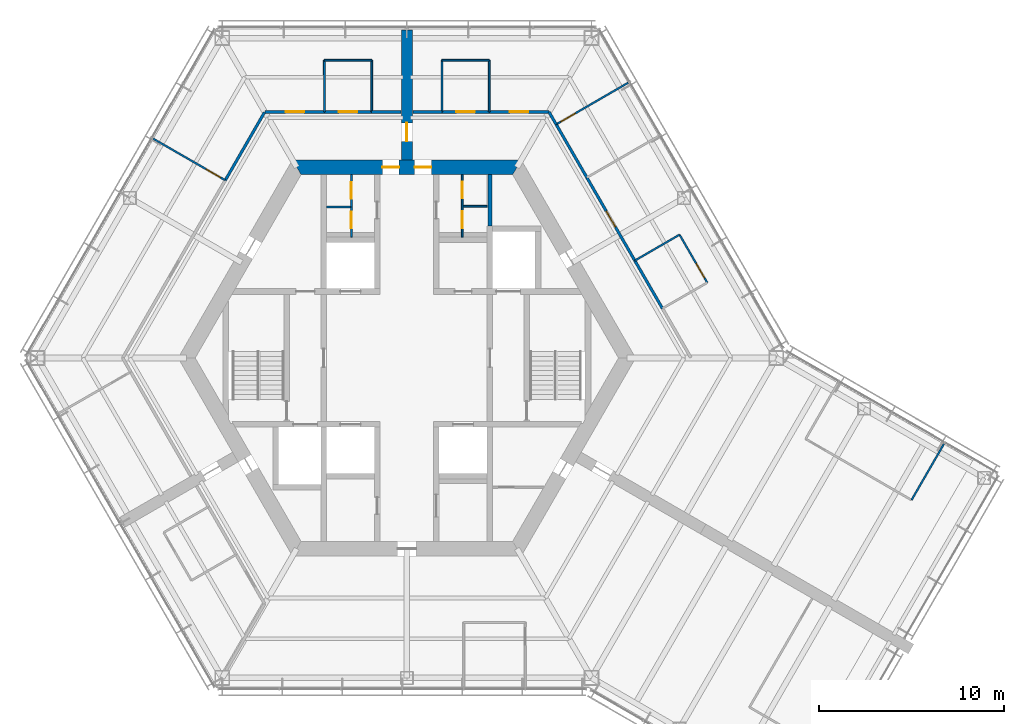
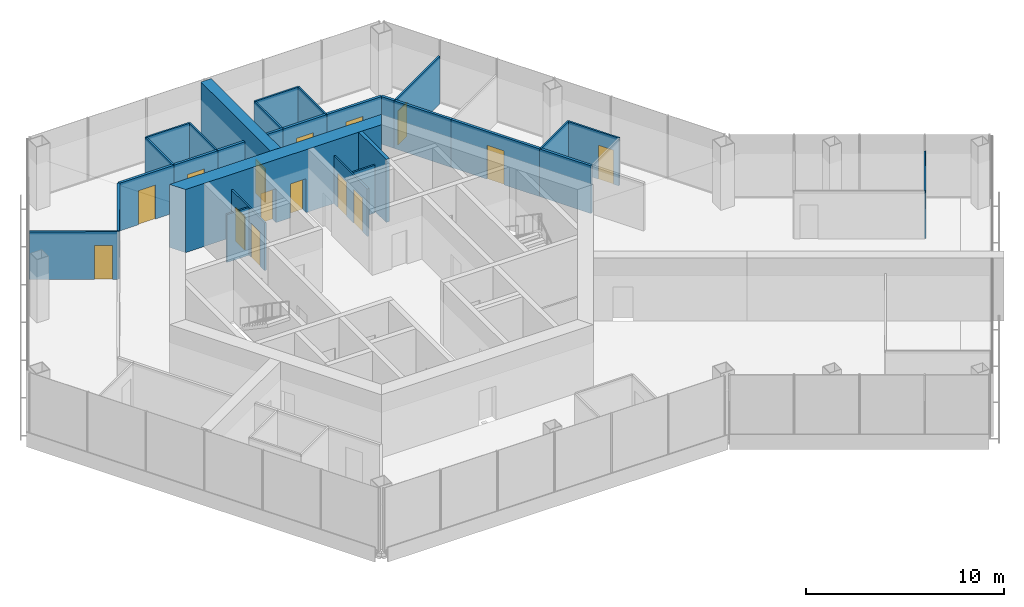
# One storey, part 12 of 15: 29 walls, 15 doors, 15 openings.
"""IFC4 building model written with IfcOpenShell, lengths in metres."""

import ifcopenshell
import ifcopenshell.guid

model = None  # the IFC model being written
_history = None  # IfcOwnerHistory: only IFC2X3 demands one
_inside = {}  # id of a spatial element -> (the spatial element, [elements in it])
_under = {}  # id of a project, library or spatial element -> (it, [spatial elements below it])
_declared = {}  # id of a project -> (the project, [libraries it declares])
_typed = {}  # id of a type object -> (the type object, [elements of that type])
_made_of = {}  # id of a material, layer set ... -> (it, [elements and type objects made of it])


def new_model(schema):
    """Start an empty IFC model of exactly this schema.

    Asked for "IFC4X3", IfcOpenShell would pick the latest addendum, in which some entities
    have other attributes; the version numbers below select the first issue.
    IFC2X3 requires an IfcOwnerHistory on every rooted entity: one is made here for all.
    """
    global model, _history
    if schema == "IFC4X3":
        model = ifcopenshell.file(schema_version=(4, 3, 0, 0))
    else:
        model = ifcopenshell.file(schema=schema)
    _inside.clear()
    _under.clear()
    _declared.clear()
    _typed.clear()
    _made_of.clear()
    _history = None
    if model.schema == "IFC2X3":
        org = make("IfcOrganization", Name="unknown")
        user = make(
            "IfcPersonAndOrganization",
            ThePerson=make("IfcPerson", FamilyName="unknown"),
            TheOrganization=org,
        )
        app = make(
            "IfcApplication",
            ApplicationDeveloper=org,
            Version="unknown",
            ApplicationFullName="unknown",
            ApplicationIdentifier="unknown",
        )
        _history = make(
            "IfcOwnerHistory",
            OwningUser=user,
            OwningApplication=app,
            ChangeAction="ADDED",
            CreationDate=0,
        )
    return model


def make(cls, **values):
    """One entity of the class cls with the attributes given. An attribute that is None is left unset."""
    return model.create_entity(
        cls, **{name: value for name, value in values.items() if value is not None}
    )


def rooted(cls, **values):
    """An entity with a GlobalId (a new one), such as an element, a storey or a relation."""
    return make(cls, GlobalId=ifcopenshell.guid.new(), OwnerHistory=_history, **values)


def si_unit(unit_type, name, prefix=None):
    """IfcSIUnit, for example si_unit("LENGTHUNIT", "METRE", prefix="MILLI")."""
    return make("IfcSIUnit", UnitType=unit_type, Prefix=prefix, Name=name)


def assignment(units):
    """IfcUnitAssignment: the units of a project."""
    return None if units is None else make("IfcUnitAssignment", Units=units)


def point(xyz):
    """IfcCartesianPoint."""
    return None if xyz is None else make("IfcCartesianPoint", Coordinates=xyz)


def direction(xyz):
    """IfcDirection."""
    return None if xyz is None else make("IfcDirection", DirectionRatios=xyz)


def frame(location, z_axis=None, x_axis=None):
    """IfcAxis2Placement3D, a coordinate frame: its origin and axes. An axis left out is left unset."""
    return make(
        "IfcAxis2Placement3D",
        Location=point(location),
        Axis=direction(z_axis),
        RefDirection=direction(x_axis),
    )


def frame_2d(location, x_axis=None):
    """IfcAxis2Placement2D, a coordinate frame in the plane: its origin and x axis."""
    return make(
        "IfcAxis2Placement2D", Location=point(location), RefDirection=direction(x_axis)
    )


def origin():
    """The frame at (0, 0, 0) with its axes left unset."""
    return frame((0.0, 0.0, 0.0))


def place(relative_to, where):
    """IfcLocalPlacement: puts the frame where relative to a parent placement (None: the world)."""
    return make(
        "IfcLocalPlacement", PlacementRelTo=relative_to, RelativePlacement=where
    )


def context(
    kind, dimensions, precision=None, world=None, true_north=None, identifier=None
):
    """IfcGeometricRepresentationContext, for example the 3D "Model" context."""
    return make(
        "IfcGeometricRepresentationContext",
        ContextIdentifier=identifier,
        ContextType=kind,
        CoordinateSpaceDimension=dimensions,
        Precision=precision,
        WorldCoordinateSystem=world,
        TrueNorth=true_north,
    )


def subcontext(parent, identifier, kind, view, scale=None):
    """IfcGeometricRepresentationSubContext, for example "Body" below "Model"."""
    return make(
        "IfcGeometricRepresentationSubContext",
        ContextIdentifier=identifier,
        ContextType=kind,
        ParentContext=parent,
        TargetScale=scale,
        TargetView=view,
    )


def project(units=None, contexts=None):
    """IfcProject with its units and contexts."""
    return rooted(
        "IfcProject",
        Name="project",
        RepresentationContexts=contexts,
        UnitsInContext=assignment(units),
    )


def spatial(cls, under=None, at=None, **own):
    """A site, building, storey or space (cls), placed at a placement, below another one or the project."""
    s = rooted(cls, ObjectPlacement=at, **own)
    if under is not None:
        _under.setdefault(under.id(), (under, []))[1].append(s)
    return s


def polyline(points):
    """IfcPolyline through the points."""
    return make("IfcPolyline", Points=[point(p) for p in points])


def profile(cls, at=None, kind="AREA", **sizes):
    """A parametric profile (cls). Its sizes go by their IFC names, for example OverallWidth=200.0."""
    return make(cls, ProfileType=kind, Position=at, **sizes)


def rectangle(**sizes):
    """IfcRectangleProfileDef."""
    return profile("IfcRectangleProfileDef", **sizes)


def outline(outer, holes=None, kind="AREA"):
    """IfcArbitraryClosedProfileDef: a profile drawn as a closed curve; with holes, ...WithVoids."""
    if holes is None:
        return make("IfcArbitraryClosedProfileDef", ProfileType=kind, OuterCurve=outer)
    return make(
        "IfcArbitraryProfileDefWithVoids",
        ProfileType=kind,
        OuterCurve=outer,
        InnerCurves=holes,
    )


def extrude(swept, where, along, depth):
    """IfcExtrudedAreaSolid: the profile swept, set in the frame where, extruded along a direction by depth."""
    return make(
        "IfcExtrudedAreaSolid",
        SweptArea=swept,
        Position=where,
        ExtrudedDirection=direction(along),
        Depth=depth,
    )


def shape(context_of_items, identifier, shape_type, items):
    """IfcShapeRepresentation: the items that make up one representation, for example the "Body"."""
    return make(
        "IfcShapeRepresentation",
        ContextOfItems=context_of_items,
        RepresentationIdentifier=identifier,
        RepresentationType=shape_type,
        Items=items,
    )


def material(Name=None, Category=None):
    """IfcMaterial."""
    return make("IfcMaterial", Name=Name, Category=Category)


def layer(
    of_material, thickness, ventilated=None, Name=None, Category=None, Priority=None
):
    """IfcMaterialLayer: one layer of a wall or slab, of a material (None: an air gap)."""
    return make(
        "IfcMaterialLayer",
        Material=of_material,
        LayerThickness=thickness,
        IsVentilated=ventilated,
        Name=Name,
        Category=Category,
        Priority=Priority,
    )


def layer_set(layers, Name=None):
    """IfcMaterialLayerSet."""
    return make("IfcMaterialLayerSet", MaterialLayers=layers, LayerSetName=Name)


def made_of(thing, what):
    """Note that an element or type object is made of a material, layer set ...; save() writes the relation."""
    if what is not None:
        _made_of.setdefault(what.id(), (what, []))[1].append(thing)
    return thing


def type_object(cls, material=None, **own):
    """A type object (cls), such as IfcWallType, which elements share."""
    return made_of(rooted(cls, **own), material)


def element(
    cls,
    number,
    at=None,
    inside=None,
    cuts=None,
    type_object=None,
    material=None,
    context=None,
    identifier="Body",
    shape_type=None,
    held_by="IfcProductDefinitionShape",
    body=None,
    shapes=None,
    **own,
):
    """One element of the class cls, such as IfcWall. Its Tag is "e" and its number.

    at: its placement. inside: the storey or other place that contains it. cuts: it is an
    opening in that element (IfcRelVoidsElement). A single representation is given by context,
    identifier, shape_type and body (its items); several are given by shapes. held_by: the class
    of the entity that holds the representations. save() writes the other relations.
    """
    e = rooted(cls, Tag="e%d" % number, ObjectPlacement=at, **own)
    if body is not None:
        shapes = [shape(context, identifier, shape_type, body)]
    if shapes is not None:
        e.Representation = make(held_by, Representations=shapes)
    if inside is not None:
        _inside.setdefault(inside.id(), (inside, []))[1].append(e)
    if cuts is not None:
        rooted(
            "IfcRelVoidsElement", RelatingBuildingElement=cuts, RelatedOpeningElement=e
        )
    if type_object is not None:
        _typed.setdefault(type_object.id(), (type_object, []))[1].append(e)
    return made_of(e, material)


def fill(opening, filler):
    """IfcRelFillsElement: the door or window that sits in an opening."""
    return rooted(
        "IfcRelFillsElement",
        RelatingOpeningElement=opening,
        RelatedBuildingElement=filler,
    )


def aggregate(whole, parts):
    """IfcRelAggregates: a whole, such as a stair, and the parts it consists of."""
    return rooted("IfcRelAggregates", RelatingObject=whole, RelatedObjects=parts)


def save(model, path):
    """Write the relations noted so far, then the file.

    IfcRelAggregates (storeys below a building ...), IfcRelContainedInSpatialStructure (elements
    in a storey), IfcRelDefinesByType, IfcRelAssociatesMaterial and IfcRelDeclares: one each for
    every whole, place, type object, material and project.
    """
    for whole, parts in _under.values():
        aggregate(whole, parts)
    for where, things in _inside.values():
        rooted(
            "IfcRelContainedInSpatialStructure",
            RelatedElements=things,
            RelatingStructure=where,
        )
    for kind, things in _typed.values():
        rooted("IfcRelDefinesByType", RelatedObjects=things, RelatingType=kind)
    for what, things in _made_of.values():
        rooted("IfcRelAssociatesMaterial", RelatedObjects=things, RelatingMaterial=what)
    for by, libraries in _declared.values():
        rooted("IfcRelDeclares", RelatingContext=by, RelatedDefinitions=libraries)
    model.write(path)


model = new_model("IFC4")

# Units and contexts
model_context = context("Model", 3, precision=1e-05, world=origin(), true_north=direction((0.0, 1.0)))
body_context = subcontext(model_context, "Body", "Model", "MODEL_VIEW")
ifc_project = project(units=[si_unit("LENGTHUNIT", "METRE"), si_unit("AREAUNIT", "SQUARE_METRE"), si_unit("VOLUMEUNIT", "CUBIC_METRE"), si_unit("PLANEANGLEUNIT", "RADIAN"), si_unit("MASSUNIT", "GRAM", prefix="KILO")], contexts=[model_context])

# Site, building, storey
site_placement = place(None, origin())
site = spatial("IfcSite", under=ifc_project, at=site_placement, CompositionType="ELEMENT")
building_placement = place(site_placement, origin())
building = spatial("IfcBuilding", under=site, at=building_placement, Name="Kasaneha Research Tower", CompositionType="ELEMENT")
storey_placement = place(building_placement, frame((0.0, 0.0, 244.0)))
storey = spatial("IfcBuildingStorey", under=building, at=storey_placement, Name="L61", CompositionType="ELEMENT", Elevation=244.0)

# Wall, openings, doors
ifc_material_1 = material(Name="Concrete Fc60", Category="concrete")
ifc_layer_1 = layer(ifc_material_1, 0.800048828125)
ifc_layer_set_1 = layer_set([ifc_layer_1], Name="Core wall 800 Fc60")
wall_type_1 = type_object("IfcWallType", Name="Core wall 800 Fc60", PredefinedType="SHEAR", material=ifc_layer_set_1)
wall_1_placement = place(storey_placement, frame((5.961181640625, 10.324951171875, 0.0), z_axis=(0.0, 0.0, 1.0), x_axis=(-1.0, 0.0, 0.0)))
wall_1 = element("IfcWall", 1, at=wall_1_placement, inside=storey, type_object=wall_type_1, Name="Core wall 090 L61", PredefinedType="SHEAR", context=body_context, shape_type="SweptSolid", body=[
    extrude(outline(polyline([(-0.23095703125, -0.39990234375), (4.63623046875, -0.39990234375), (5.5361328125, -0.39990234375), (6.38623046875, -0.39990234375), (7.2861328125, -0.39990234375), (12.1533203125, -0.39990234375), (11.69140625, 0.39990234375), (7.2861328125, 0.39990234375), (6.38623046875, 0.39990234375), (5.5361328125, 0.39990234375), (4.63623046875, 0.39990234375), (0.23095703125, 0.39990234375), (-0.23095703125, -0.39990234375)])), origin(), (0.0, 0.0, 1.0), 3.89990234375),
])
opening_1_placement = place(wall_1_placement, frame((6.38623046875, 0.0, 0.0)))
opening_1 = element("IfcOpeningElement", 2, at=opening_1_placement, cuts=wall_1, Name="Opening L61-D01", PredefinedType="OPENING", context=body_context, shape_type="SweptSolid", body=[
    extrude(rectangle(XDim=0.89990234375, YDim=2.10009765625, at=frame_2d((0.449951171875, 1.050048828125))), frame((0.0, 0.41015625, 0.0), z_axis=(0.0, -1.0, 0.0), x_axis=(1.0, 0.0, 0.0)), (0.0, 0.0, 1.0), 0.820068359375),
])
opening_2_placement = place(wall_1_placement, frame((4.63623046875, 0.0, 0.0)))
opening_2 = element("IfcOpeningElement", 3, at=opening_2_placement, cuts=wall_1, Name="Opening L61-D02", PredefinedType="OPENING", context=body_context, shape_type="SweptSolid", body=[
    extrude(rectangle(XDim=0.89990234375, YDim=2.10009765625, at=frame_2d((0.449951171875, 1.050048828125))), frame((0.0, 0.41015625, 0.0), z_axis=(0.0, -1.0, 0.0), x_axis=(1.0, 0.0, 0.0)), (0.0, 0.0, 1.0), 0.820068359375),
])
ifc_material_2 = material(Name="Steel", Category="steel")
door_type_1 = type_object("IfcDoorType", Name="Toilet door FD20 900x2100", OperationType="NOTDEFINED", PredefinedType="DOOR", material=ifc_material_2)
door_1_placement = place(opening_1_placement, origin())
door_1 = element("IfcDoor", 4, at=door_1_placement, inside=storey, type_object=door_type_1, Name="Core door north 1 L61-D01", OperationType="SINGLE_SWING_RIGHT", OverallHeight=2.10009765625, OverallWidth=0.89990234375, PredefinedType="DOOR", context=body_context, shape_type="SweptSolid", body=[
    extrude(rectangle(XDim=0.89990234375, YDim=2.10009765625, at=frame_2d((0.449951171875, 1.050048828125))), frame((0.0, 0.02490234375, 0.0), z_axis=(0.0, -1.0, 0.0), x_axis=(1.0, 0.0, 0.0)), (0.0, 0.0, 1.0), 0.050048828125),
])
fill(opening_1, door_1)
door_2_placement = place(opening_2_placement, origin())
door_2 = element("IfcDoor", 5, at=door_2_placement, inside=storey, type_object=door_type_1, Name="Core door north 2 L61-D02", OperationType="SINGLE_SWING_LEFT", OverallHeight=2.10009765625, OverallWidth=0.89990234375, PredefinedType="DOOR", context=body_context, shape_type="SweptSolid", body=[
    extrude(rectangle(XDim=0.89990234375, YDim=2.10009765625, at=frame_2d((0.449951171875, 1.050048828125))), frame((0.0, 0.02490234375, 0.0), z_axis=(0.0, -1.0, 0.0), x_axis=(1.0, 0.0, 0.0)), (0.0, 0.0, 1.0), 0.050048828125),
])
fill(opening_2, door_2)

ifc_material_3 = material(Name="Gypsum board on steel studs, one layer each side", Category="steel")
ifc_layer_2 = layer(ifc_material_3, 0.10009765625)
ifc_layer_set_2 = layer_set([ifc_layer_2], Name="Office partition 100")
wall_type_2 = type_object("IfcWallType", Name="Office partition 100", PredefinedType="PARTITIONING", material=ifc_layer_set_2)
wall_2_placement = place(storey_placement, frame((-3.0, 6.550048828125, 0.0), z_axis=(0.0, 0.0, 1.0), x_axis=(0.0, 1.0, 0.0)))
wall_2 = element("IfcWall", 6, at=wall_2_placement, inside=storey, type_object=wall_type_2, Name="Office partition TBM1 L61", PredefinedType="PARTITIONING", context=body_context, shape_type="SweptSolid", body=[
    extrude(rectangle(XDim=3.375, YDim=0.10009765625, at=frame_2d((1.6875, 0.0))), origin(), (0.0, 0.0, 1.0), 2.949951171875),
])
opening_3_placement = place(wall_2_placement, frame((2.074951171875, 0.0, 0.0)))
opening_3 = element("IfcOpeningElement", 7, at=opening_3_placement, cuts=wall_2, Name="Opening L61-D21", PredefinedType="OPENING", context=body_context, shape_type="SweptSolid", body=[
    extrude(rectangle(XDim=0.89990234375, YDim=2.10009765625, at=frame_2d((0.449951171875, 1.050048828125))), frame((0.0, 0.06005859375, 0.0), z_axis=(0.0, -1.0, 0.0), x_axis=(1.0, 0.0, 0.0)), (0.0, 0.0, 1.0), 0.1201171875),
])
opening_4_placement = place(wall_2_placement, frame((0.46240234375, 0.0, 0.0)))
opening_4 = element("IfcOpeningElement", 8, at=opening_4_placement, cuts=wall_2, Name="Opening L61-D22", PredefinedType="OPENING", context=body_context, shape_type="SweptSolid", body=[
    extrude(rectangle(XDim=0.89990234375, YDim=2.10009765625, at=frame_2d((0.449951171875, 1.050048828125))), frame((0.0, 0.06005859375, 0.0), z_axis=(0.0, -1.0, 0.0), x_axis=(1.0, 0.0, 0.0)), (0.0, 0.0, 1.0), 0.1201171875),
])
ifc_material_4 = material(Name="Steel", Category="steel")
door_type_2 = type_object("IfcDoorType", Name="Toilet lobby door FD30 900x2100", OperationType="NOTDEFINED", PredefinedType="DOOR", material=ifc_material_4)
door_3_placement = place(opening_3_placement, origin())
door_3 = element("IfcDoor", 9, at=door_3_placement, inside=storey, type_object=door_type_2, Name="Men's WC door L61-D21", OperationType="SINGLE_SWING_RIGHT", OverallHeight=2.10009765625, OverallWidth=0.89990234375, PredefinedType="DOOR", context=body_context, shape_type="SweptSolid", body=[
    extrude(rectangle(XDim=0.89990234375, YDim=2.10009765625, at=frame_2d((0.449951171875, 1.050048828125))), frame((0.0, 0.02490234375, 0.0), z_axis=(0.0, -1.0, 0.0), x_axis=(1.0, 0.0, 0.0)), (0.0, 0.0, 1.0), 0.050048828125),
])
fill(opening_3, door_3)
door_4_placement = place(opening_4_placement, origin())
door_4 = element("IfcDoor", 10, at=door_4_placement, inside=storey, type_object=door_type_2, Name="Cleaner's store door L61-D22", OperationType="SINGLE_SWING_RIGHT", OverallHeight=2.10009765625, OverallWidth=0.89990234375, PredefinedType="DOOR", context=body_context, shape_type="SweptSolid", body=[
    extrude(rectangle(XDim=0.89990234375, YDim=2.10009765625, at=frame_2d((0.449951171875, 1.050048828125))), frame((0.0, 0.02490234375, 0.0), z_axis=(0.0, -1.0, 0.0), x_axis=(1.0, 0.0, 0.0)), (0.0, 0.0, 1.0), 0.050048828125),
])
fill(opening_4, door_4)

# Wall
wall_3_placement = place(storey_placement, frame((-3.050048828125, 8.175048828125, 0.0), z_axis=(0.0, 0.0, 1.0), x_axis=(-1.0, 0.0, 0.0)))
element("IfcWall", 11, at=wall_3_placement, inside=storey, type_object=wall_type_2, Name="Office partition TBM2 L61", PredefinedType="PARTITIONING", context=body_context, shape_type="SweptSolid", body=[
    extrude(rectangle(XDim=1.300048828125, YDim=0.10009765625, at=frame_2d((0.64990234375, 0.0))), origin(), (0.0, 0.0, 1.0), 2.949951171875),
])

# Wall, openings, doors
wall_4_placement = place(storey_placement, frame((3.0, 6.550048828125, 0.0), z_axis=(0.0, 0.0, 1.0), x_axis=(0.0, 1.0, 0.0)))
wall_4 = element("IfcWall", 12, at=wall_4_placement, inside=storey, type_object=wall_type_2, Name="Office partition TBF1 L61", PredefinedType="PARTITIONING", context=body_context, shape_type="SweptSolid", body=[
    extrude(rectangle(XDim=3.375, YDim=0.10009765625, at=frame_2d((1.6875, 0.0))), origin(), (0.0, 0.0, 1.0), 2.949951171875),
])
opening_5_placement = place(wall_4_placement, frame((2.09521484375, 0.0, 0.0)))
opening_5 = element("IfcOpeningElement", 13, at=opening_5_placement, cuts=wall_4, Name="Opening L61-D23", PredefinedType="OPENING", context=body_context, shape_type="SweptSolid", body=[
    extrude(rectangle(XDim=0.89990234375, YDim=2.10009765625, at=frame_2d((0.449951171875, 1.050048828125))), frame((0.0, 0.06005859375, 0.0), z_axis=(0.0, -1.0, 0.0), x_axis=(1.0, 0.0, 0.0)), (0.0, 0.0, 1.0), 0.1201171875),
])
opening_6_placement = place(wall_4_placement, frame((0.482666015625, 0.0, 0.0)))
opening_6 = element("IfcOpeningElement", 14, at=opening_6_placement, cuts=wall_4, Name="Opening L61-D24", PredefinedType="OPENING", context=body_context, shape_type="SweptSolid", body=[
    extrude(rectangle(XDim=0.89990234375, YDim=2.10009765625, at=frame_2d((0.449951171875, 1.050048828125))), frame((0.0, 0.06005859375, 0.0), z_axis=(0.0, -1.0, 0.0), x_axis=(1.0, 0.0, 0.0)), (0.0, 0.0, 1.0), 0.1201171875),
])
door_5_placement = place(opening_5_placement, origin())
door_5 = element("IfcDoor", 15, at=door_5_placement, inside=storey, type_object=door_type_2, Name="Women's WC door L61-D23", OperationType="SINGLE_SWING_RIGHT", OverallHeight=2.10009765625, OverallWidth=0.89990234375, PredefinedType="DOOR", context=body_context, shape_type="SweptSolid", body=[
    extrude(rectangle(XDim=0.89990234375, YDim=2.10009765625, at=frame_2d((0.449951171875, 1.050048828125))), frame((0.0, 0.02490234375, 0.0), z_axis=(0.0, -1.0, 0.0), x_axis=(1.0, 0.0, 0.0)), (0.0, 0.0, 1.0), 0.050048828125),
])
fill(opening_5, door_5)
door_6_placement = place(opening_6_placement, origin())
door_6 = element("IfcDoor", 16, at=door_6_placement, inside=storey, type_object=door_type_2, Name="Shower room door L61-D24", OperationType="SINGLE_SWING_RIGHT", OverallHeight=2.10009765625, OverallWidth=0.89990234375, PredefinedType="DOOR", context=body_context, shape_type="SweptSolid", body=[
    extrude(rectangle(XDim=0.89990234375, YDim=2.10009765625, at=frame_2d((0.449951171875, 1.050048828125))), frame((0.0, 0.02490234375, 0.0), z_axis=(0.0, -1.0, 0.0), x_axis=(1.0, 0.0, 0.0)), (0.0, 0.0, 1.0), 0.050048828125),
])
fill(opening_6, door_6)

# Walls
wall_5_placement = place(storey_placement, frame((3.050048828125, 8.21533203125, 0.0), z_axis=(0.0, 0.0, 1.0), x_axis=(1.0, 0.0, 0.0)))
element("IfcWall", 17, at=wall_5_placement, inside=storey, type_object=wall_type_2, Name="Office partition TBF2 L61", PredefinedType="PARTITIONING", context=body_context, shape_type="SweptSolid", body=[
    extrude(rectangle(XDim=1.300048828125, YDim=0.10009765625, at=frame_2d((0.64990234375, 0.0))), origin(), (0.0, 0.0, 1.0), 2.949951171875),
])
wall_6_placement = place(storey_placement, frame((1.89990234375, 16.125, 0.0), z_axis=(0.0, 0.0, 1.0), x_axis=(1.0, 0.0, 0.0)))
element("IfcWall", 18, at=wall_6_placement, inside=storey, type_object=wall_type_2, Name="Office partition FAE09 L61", PredefinedType="PARTITIONING", context=body_context, shape_type="SweptSolid", body=[
    extrude(rectangle(XDim=2.565185546875, YDim=0.10009765625, at=frame_2d((1.28271484375, 0.0))), origin(), (0.0, 0.0, 1.0), 2.949951171875),
])
for number, where, z_axis, x_axis, name in (
    (19, (1.904541015625, 13.324951171875, 0.0), (0.0, 0.0, 1.0), (-0.001656637364, 0.999998627775, 0.0), "Office partition FAE10 L61"),
    (20, (4.465087890625, 16.125, 0.0), (0.0, 0.0, 1.0), (-0.001656637364, -0.999998627775, 0.0), "Office partition FAE11 L61"),
    (21, (12.342041015625, 5.27294921875, 0.0), (0.0, 0.0, 1.0), (0.865195372903, 0.501434907746, 0.0), "Office partition FAE12 L61"),
):
    element("IfcWall", number, at=place(storey_placement, frame(where, z_axis=z_axis, x_axis=x_axis)), inside=storey, type_object=wall_type_2, Name=name, PredefinedType="PARTITIONING", context=body_context, shape_type="SweptSolid", body=[
        extrude(rectangle(XDim=2.800048828125, YDim=0.10009765625, at=frame_2d((1.39990234375, 0.0))), origin(), (0.0, 0.0, 1.0), 2.949951171875),
    ])

# Wall, opening, door
wall_7_placement = place(storey_placement, frame((14.7646484375, 6.677001953125, 0.0), z_axis=(0.0, 0.0, 1.0), x_axis=(0.499990139034, -0.866031096941, 0.0)))
wall_7 = element("IfcWall", 22, at=wall_7_placement, inside=storey, type_object=wall_type_2, Name="Office partition FAE13 L61", PredefinedType="PARTITIONING", context=body_context, shape_type="SweptSolid", body=[
    extrude(rectangle(XDim=3.0, YDim=0.10009765625, at=frame_2d((1.5, 0.0))), origin(), (0.0, 0.0, 1.0), 2.949951171875),
])
opening_7_placement = place(wall_7_placement, frame((1.800048828125, 0.0, 0.0)))
opening_7 = element("IfcOpeningElement", 23, at=opening_7_placement, cuts=wall_7, Name="Opening L61-D29", PredefinedType="OPENING", context=body_context, shape_type="SweptSolid", body=[
    extrude(rectangle(XDim=0.89990234375, YDim=2.10009765625, at=frame_2d((0.449951171875, 1.050048828125))), frame((0.0, 0.06005859375, 0.0), z_axis=(0.0, -1.0, 0.0), x_axis=(1.0, 0.0, 0.0)), (0.0, 0.0, 1.0), 0.1201171875),
])
ifc_material_5 = material(Name="Timber veneer", Category="wood")
door_type_3 = type_object("IfcDoorType", Name="Office door 900x2100", OperationType="SINGLE_SWING_LEFT", PredefinedType="DOOR", material=ifc_material_5)
door_7_placement = place(opening_7_placement, origin())
door_7 = element("IfcDoor", 24, at=door_7_placement, inside=storey, type_object=door_type_3, Name="Pantry door L61-D29", OperationType="SINGLE_SWING_RIGHT", OverallHeight=2.10009765625, OverallWidth=0.89990234375, PredefinedType="DOOR", context=body_context, shape_type="SweptSolid", body=[
    extrude(rectangle(XDim=0.89990234375, YDim=2.10009765625, at=frame_2d((0.449951171875, 1.050048828125))), frame((0.0, 0.02490234375, 0.0), z_axis=(0.0, -1.0, 0.0), x_axis=(1.0, 0.0, 0.0)), (0.0, 0.0, 1.0), 0.050048828125),
])
fill(opening_7, door_7)

wall_8_placement = place(storey_placement, frame((8.084228515625, 12.647705078125, 0.0), z_axis=(0.0, 0.0, 1.0), x_axis=(0.865532616855, 0.500852562298, 0.0)))
wall_8 = element("IfcWall", 25, at=wall_8_placement, inside=storey, type_object=wall_type_2, Name="Office partition FAE16 L61", PredefinedType="PARTITIONING", context=body_context, shape_type="SweptSolid", body=[
    extrude(rectangle(XDim=4.505615234375, YDim=0.10009765625, at=frame_2d((2.2529296875, 0.0))), origin(), (0.0, 0.0, 1.0), 2.949951171875),
])
opening_8_placement = place(wall_8_placement, frame((0.300048828125, 0.0, 0.0)))
opening_8 = element("IfcOpeningElement", 26, at=opening_8_placement, cuts=wall_8, Name="Opening L61-D30", PredefinedType="OPENING", context=body_context, shape_type="SweptSolid", body=[
    extrude(rectangle(XDim=0.89990234375, YDim=2.10009765625, at=frame_2d((0.449951171875, 1.050048828125))), frame((0.0, 0.06005859375, 0.0), z_axis=(0.0, -1.0, 0.0), x_axis=(1.0, 0.0, 0.0)), (0.0, 0.0, 1.0), 0.1201171875),
])
door_8_placement = place(opening_8_placement, origin())
door_8 = element("IfcDoor", 27, at=door_8_placement, inside=storey, type_object=door_type_3, Name="Meeting room door L61-D30", OperationType="SINGLE_SWING_LEFT", OverallHeight=2.10009765625, OverallWidth=0.89990234375, PredefinedType="DOOR", context=body_context, shape_type="SweptSolid", body=[
    extrude(rectangle(XDim=0.89990234375, YDim=2.10009765625, at=frame_2d((0.449951171875, 1.050048828125))), frame((0.0, 0.02490234375, 0.0), z_axis=(0.0, -1.0, 0.0), x_axis=(1.0, 0.0, 0.0)), (0.0, 0.0, 1.0), 0.050048828125),
])
fill(opening_8, door_8)

# Walls
wall_9_placement = place(storey_placement, frame((-4.465087890625, 16.125, 0.0), z_axis=(0.0, 0.0, 1.0), x_axis=(1.0, 0.0, 0.0)))
element("IfcWall", 28, at=wall_9_placement, inside=storey, type_object=wall_type_2, Name="Office partition FAW04 L61", PredefinedType="PARTITIONING", context=body_context, shape_type="SweptSolid", body=[
    extrude(rectangle(XDim=2.565185546875, YDim=0.10009765625, at=frame_2d((1.28271484375, 0.0))), origin(), (0.0, 0.0, 1.0), 2.949951171875),
])
for number, where, z_axis, x_axis, name in (
    (29, (-4.46044921875, 13.324951171875, 0.0), (0.0, 0.0, 1.0), (-0.001656637364, 0.999998627775, 0.0), "Office partition FAW05 L61"),
    (30, (-1.89990234375, 16.125, 0.0), (0.0, 0.0, 1.0), (-0.001656637364, -0.999998627775, 0.0), "Office partition FAW06 L61"),
):
    element("IfcWall", number, at=place(storey_placement, frame(where, z_axis=z_axis, x_axis=x_axis)), inside=storey, type_object=wall_type_2, Name=name, PredefinedType="PARTITIONING", context=body_context, shape_type="SweptSolid", body=[
        extrude(rectangle(XDim=2.800048828125, YDim=0.10009765625, at=frame_2d((1.39990234375, 0.0))), origin(), (0.0, 0.0, 1.0), 2.949951171875),
    ])

# Wall, opening, door
wall_10_placement = place(storey_placement, frame((-9.829833984375, 9.624267578125, 0.0), z_axis=(0.0, 0.0, 1.0), x_axis=(-0.866527293697, 0.499129691842, 0.0)))
wall_10 = element("IfcWall", 31, at=wall_10_placement, inside=storey, type_object=wall_type_2, Name="Office partition FBN06 L61", PredefinedType="PARTITIONING", context=body_context, shape_type="SweptSolid", body=[
    extrude(rectangle(XDim=4.50537109375, YDim=0.10009765625, at=frame_2d((2.252685546875, 0.0))), origin(), (0.0, 0.0, 1.0), 2.949951171875),
])
opening_9_placement = place(wall_10_placement, frame((0.300048828125, 0.0, 0.0)))
opening_9 = element("IfcOpeningElement", 32, at=opening_9_placement, cuts=wall_10, Name="Opening L61-D35", PredefinedType="OPENING", context=body_context, shape_type="SweptSolid", body=[
    extrude(rectangle(XDim=0.89990234375, YDim=2.10009765625, at=frame_2d((0.449951171875, 1.050048828125))), frame((0.0, 0.06005859375, 0.0), z_axis=(0.0, -1.0, 0.0), x_axis=(1.0, 0.0, 0.0)), (0.0, 0.0, 1.0), 0.1201171875),
])
door_9_placement = place(opening_9_placement, origin())
door_9 = element("IfcDoor", 33, at=door_9_placement, inside=storey, type_object=door_type_3, Name="Reading room door L61-D35", OperationType="SINGLE_SWING_LEFT", OverallHeight=2.10009765625, OverallWidth=0.89990234375, PredefinedType="DOOR", context=body_context, shape_type="SweptSolid", body=[
    extrude(rectangle(XDim=0.89990234375, YDim=2.10009765625, at=frame_2d((0.449951171875, 1.050048828125))), frame((0.0, 0.02490234375, 0.0), z_axis=(0.0, -1.0, 0.0), x_axis=(1.0, 0.0, 0.0)), (0.0, 0.0, 1.0), 0.050048828125),
])
fill(opening_9, door_9)

# Walls
wall_11_placement = place(storey_placement, frame((29.080078125, -4.6533203125, 0.0), z_axis=(0.0, 0.0, 1.0), x_axis=(-0.500021481416, -0.866013001128, 0.0)))
element("IfcWall", 34, at=wall_11_placement, inside=storey, type_object=wall_type_2, Name="Office partition FCE03 L61", PredefinedType="PARTITIONING", context=body_context, shape_type="SweptSolid", body=[
    extrude(rectangle(XDim=3.510009765625, YDim=0.10009765625, at=frame_2d((1.7548828125, 0.0))), origin(), (0.0, 0.0, 1.0), 2.949951171875),
])
ifc_material_6 = material(Name="Concrete block", Category="concrete")
ifc_layer_3 = layer(ifc_material_6, 0.199951171875)
ifc_layer_set_3 = layer_set([ifc_layer_3], Name="Riser enclosure wall 200")
wall_type_3 = type_object("IfcWallType", Name="Riser enclosure wall 200", PredefinedType="STANDARD", material=ifc_layer_set_3)
wall_12_placement = place(storey_placement, frame((4.5, 7.14990234375, 0.0), z_axis=(0.0, 0.0, 1.0), x_axis=(0.0, 1.0, 0.0)))
element("IfcWall", 35, at=wall_12_placement, inside=storey, type_object=wall_type_3, Name="Riser enclosure wall L61", PredefinedType="STANDARD", context=body_context, shape_type="SweptSolid", body=[
    extrude(rectangle(XDim=2.775146484375, YDim=0.199951171875, at=frame_2d((1.3876953125, 0.0))), origin(), (0.0, 0.0, 1.0), 3.89990234375),
])

# Wall, opening, door
ifc_material_7 = material(Name="Concrete Fc60", Category="concrete")
ifc_layer_4 = layer(ifc_material_7, 0.60009765625)
ifc_layer_set_4 = layer_set([ifc_layer_4], Name="Spine wall 600 Fc60")
wall_type_4 = type_object("IfcWallType", Name="Spine wall 600 Fc60", PredefinedType="SHEAR", material=ifc_layer_set_4)
wall_13_placement = place(storey_placement, frame((0.0, 10.72509765625, 0.0), z_axis=(0.0, 0.0, 1.0), x_axis=(0.0, 1.0, 0.0)))
wall_13 = element("IfcWall", 36, at=wall_13_placement, inside=storey, type_object=wall_type_4, Name="Spine wall A L61", PredefinedType="SHEAR", context=body_context, shape_type="SweptSolid", body=[
    extrude(rectangle(XDim=7.04541015625, YDim=0.60009765625, at=frame_2d((3.522705078125, 0.0))), origin(), (0.0, 0.0, 1.0), 3.89990234375),
])
opening_10_placement = place(wall_13_placement, frame((1.0, 0.0, 0.0)))
opening_10 = element("IfcOpeningElement", 37, at=opening_10_placement, cuts=wall_13, Name="Opening L61-D18", PredefinedType="OPENING", context=body_context, shape_type="SweptSolid", body=[
    extrude(rectangle(XDim=1.0, YDim=2.10009765625, at=frame_2d((0.5, 1.050048828125))), frame((0.0, 0.31005859375, 0.0), z_axis=(0.0, -1.0, 0.0), x_axis=(1.0, 0.0, 0.0)), (0.0, 0.0, 1.0), 0.6201171875),
])
ifc_material_8 = material(Name="Steel", Category="steel")
door_type_4 = type_object("IfcDoorType", Name="Specified fire door FD60 1000x2100", OperationType="NOTDEFINED", PredefinedType="DOOR", material=ifc_material_8)
door_10_placement = place(opening_10_placement, origin())
door_10 = element("IfcDoor", 38, at=door_10_placement, inside=storey, type_object=door_type_4, Name="Spine doorway A L61-D18", OperationType="SINGLE_SWING_LEFT", OverallHeight=2.10009765625, OverallWidth=1.0, PredefinedType="DOOR", context=body_context, shape_type="SweptSolid", body=[
    extrude(rectangle(XDim=1.0, YDim=2.10009765625, at=frame_2d((0.5, 1.050048828125))), frame((0.0, 0.02490234375, 0.0), z_axis=(0.0, -1.0, 0.0), x_axis=(1.0, 0.0, 0.0)), (0.0, 0.0, 1.0), 0.050048828125),
])
fill(opening_10, door_10)

ifc_material_9 = material(Name="Gypsum board on steel studs, two layers each side", Category="steel")
ifc_layer_5 = layer(ifc_material_9, 0.14990234375)
ifc_layer_set_5 = layer_set([ifc_layer_5], Name="Suite partition 150")
wall_type_5 = type_object("IfcWallType", Name="Suite partition 150", PredefinedType="PARTITIONING", material=ifc_layer_set_5)
wall_14_placement = place(storey_placement, frame((1.89501953125, 13.324951171875, 0.0), z_axis=(0.0, 0.0, 1.0), x_axis=(1.0, 0.0, 0.0)))
wall_14 = element("IfcWall", 39, at=wall_14_placement, inside=storey, type_object=wall_type_5, Name="Suite partition FAE01 L61", PredefinedType="PARTITIONING", context=body_context, shape_type="SweptSolid", body=[
    extrude(rectangle(XDim=2.574951171875, YDim=0.14990234375, at=frame_2d((1.28759765625, 0.0))), origin(), (0.0, 0.0, 1.0), 2.949951171875),
])
opening_11_placement = place(wall_14_placement, frame((0.78759765625, 0.0, 0.0)))
opening_11 = element("IfcOpeningElement", 40, at=opening_11_placement, cuts=wall_14, Name="Opening L61-D26", PredefinedType="OPENING", context=body_context, shape_type="SweptSolid", body=[
    extrude(rectangle(XDim=1.0, YDim=2.10009765625, at=frame_2d((0.5, 1.050048828125))), frame((0.0, 0.0849609375, 0.0), z_axis=(0.0, -1.0, 0.0), x_axis=(1.0, 0.0, 0.0)), (0.0, 0.0, 1.0), 0.169921875),
])
ifc_material_10 = material(Name="Steel", Category="steel")
door_type_5 = type_object("IfcDoorType", Name="Suite entrance door FD60 1000x2100", OperationType="NOTDEFINED", PredefinedType="DOOR", material=ifc_material_10)
door_11_placement = place(opening_11_placement, origin())
door_11 = element("IfcDoor", 41, at=door_11_placement, inside=storey, type_object=door_type_5, Name="Suite entrance door L61-D26", OperationType="SINGLE_SWING_RIGHT", OverallHeight=2.10009765625, OverallWidth=1.0, PredefinedType="DOOR", context=body_context, shape_type="SweptSolid", body=[
    extrude(rectangle(XDim=1.0, YDim=2.10009765625, at=frame_2d((0.5, 1.050048828125))), frame((0.0, 0.02490234375, 0.0), z_axis=(0.0, -1.0, 0.0), x_axis=(1.0, 0.0, 0.0)), (0.0, 0.0, 1.0), 0.050048828125),
])
fill(opening_11, door_11)

# Walls
wall_15_placement = place(storey_placement, frame((12.33740234375, 5.28125, 0.0), z_axis=(0.0, 0.0, 1.0), x_axis=(0.499977562641, -0.866038357612, 0.0)))
element("IfcWall", 42, at=wall_15_placement, inside=storey, type_object=wall_type_5, Name="Suite partition FAE02 L61", PredefinedType="PARTITIONING", context=body_context, shape_type="SweptSolid", body=[
    extrude(rectangle(XDim=3.010009765625, YDim=0.14990234375, at=frame_2d((1.5048828125, 0.0))), origin(), (0.0, 0.0, 1.0), 2.949951171875),
])
wall_16_placement = place(storey_placement, frame((8.07958984375, 12.65576171875, 0.0), z_axis=(0.0, 0.0, 1.0), x_axis=(0.499990242038, -0.866031037473, 0.0)))
element("IfcWall", 43, at=wall_16_placement, inside=storey, type_object=wall_type_5, Name="Suite partition FAE03 L61", PredefinedType="PARTITIONING", context=body_context, shape_type="SweptSolid", body=[
    extrude(rectangle(XDim=3.3408203125, YDim=0.14990234375, at=frame_2d((1.67041015625, 0.0))), origin(), (0.0, 0.0, 1.0), 2.949951171875),
])

# Wall, opening, door
wall_17_placement = place(storey_placement, frame((9.745361328125, 9.770751953125, 0.0), z_axis=(0.0, 0.0, 1.0), x_axis=(0.499981525251, -0.866036069923, 0.0)))
wall_17 = element("IfcWall", 44, at=wall_17_placement, inside=storey, type_object=wall_type_5, Name="Suite partition FAE04 L61", PredefinedType="PARTITIONING", context=body_context, shape_type="SweptSolid", body=[
    extrude(rectangle(XDim=5.193603515625, YDim=0.14990234375, at=frame_2d((2.5966796875, 0.0))), origin(), (0.0, 0.0, 1.0), 2.949951171875),
])
opening_12_placement = place(wall_17_placement, frame((2.0966796875, 0.0, 0.0)))
opening_12 = element("IfcOpeningElement", 45, at=opening_12_placement, cuts=wall_17, Name="Opening L61-D27", PredefinedType="OPENING", context=body_context, shape_type="SweptSolid", body=[
    extrude(rectangle(XDim=1.0, YDim=2.10009765625, at=frame_2d((0.5, 1.050048828125))), frame((0.0, 0.0849609375, 0.0), z_axis=(0.0, -1.0, 0.0), x_axis=(1.0, 0.0, 0.0)), (0.0, 0.0, 1.0), 0.169921875),
])
door_12_placement = place(opening_12_placement, origin())
door_12 = element("IfcDoor", 46, at=door_12_placement, inside=storey, type_object=door_type_5, Name="Suite entrance door L61-D27", OperationType="SINGLE_SWING_RIGHT", OverallHeight=2.10009765625, OverallWidth=1.0, PredefinedType="DOOR", context=body_context, shape_type="SweptSolid", body=[
    extrude(rectangle(XDim=1.0, YDim=2.10009765625, at=frame_2d((0.5, 1.050048828125))), frame((0.0, 0.02490234375, 0.0), z_axis=(0.0, -1.0, 0.0), x_axis=(1.0, 0.0, 0.0)), (0.0, 0.0, 1.0), 0.050048828125),
])
fill(opening_12, door_12)

# Wall
wall_18_placement = place(storey_placement, frame((0.320068359375, 13.324951171875, 0.0), z_axis=(0.0, 0.0, 1.0), x_axis=(1.0, 0.0, 0.0)))
element("IfcWall", 47, at=wall_18_placement, inside=storey, type_object=wall_type_5, Name="Suite partition FAE06 L61", PredefinedType="PARTITIONING", context=body_context, shape_type="SweptSolid", body=[
    extrude(rectangle(XDim=1.58447265625, YDim=0.14990234375, at=frame_2d((0.792236328125, 0.0))), origin(), (0.0, 0.0, 1.0), 2.949951171875),
])

# Wall, opening, door
wall_19_placement = place(storey_placement, frame((4.46044921875, 13.324951171875, 0.0), z_axis=(0.0, 0.0, 1.0), x_axis=(1.0, 0.0, 0.0)))
wall_19 = element("IfcWall", 48, at=wall_19_placement, inside=storey, type_object=wall_type_5, Name="Suite partition FAE07 L61", PredefinedType="PARTITIONING", context=body_context, shape_type="SweptSolid", body=[
    extrude(rectangle(XDim=3.232666015625, YDim=0.14990234375, at=frame_2d((1.6162109375, 0.0))), origin(), (0.0, 0.0, 1.0), 2.949951171875),
])
opening_13_placement = place(wall_19_placement, frame((1.116455078125, 0.0, 0.0)))
opening_13 = element("IfcOpeningElement", 49, at=opening_13_placement, cuts=wall_19, Name="Opening L61-D28", PredefinedType="OPENING", context=body_context, shape_type="SweptSolid", body=[
    extrude(rectangle(XDim=1.0, YDim=2.10009765625, at=frame_2d((0.5, 1.050048828125))), frame((0.0, 0.0849609375, 0.0), z_axis=(0.0, -1.0, 0.0), x_axis=(1.0, 0.0, 0.0)), (0.0, 0.0, 1.0), 0.169921875),
])
door_13_placement = place(opening_13_placement, origin())
door_13 = element("IfcDoor", 50, at=door_13_placement, inside=storey, type_object=door_type_5, Name="Suite entrance door L61-D28", OperationType="SINGLE_SWING_RIGHT", OverallHeight=2.10009765625, OverallWidth=1.0, PredefinedType="DOOR", context=body_context, shape_type="SweptSolid", body=[
    extrude(rectangle(XDim=1.0, YDim=2.10009765625, at=frame_2d((0.5, 1.050048828125))), frame((0.0, 0.02490234375, 0.0), z_axis=(0.0, -1.0, 0.0), x_axis=(1.0, 0.0, 0.0)), (0.0, 0.0, 1.0), 0.050048828125),
])
fill(opening_13, door_13)

# Wall
wall_20_placement = place(storey_placement, frame((7.693115234375, 13.324951171875, 0.0), z_axis=(0.0, 0.0, 1.0), x_axis=(0.50010075504, -0.86596722502, 0.0)))
element("IfcWall", 51, at=wall_20_placement, inside=storey, type_object=wall_type_5, Name="Suite partition FAE08 L61", PredefinedType="PARTITIONING", context=body_context, shape_type="SweptSolid", body=[
    extrude(rectangle(XDim=0.781982421875, YDim=0.14990234375, at=frame_2d((0.39111328125, 0.0))), origin(), (0.0, 0.0, 1.0), 2.949951171875),
])

# Wall, opening, door
wall_21_placement = place(storey_placement, frame((-4.469970703125, 13.324951171875, 0.0), z_axis=(0.0, 0.0, 1.0), x_axis=(1.0, 0.0, 0.0)))
wall_21 = element("IfcWall", 52, at=wall_21_placement, inside=storey, type_object=wall_type_5, Name="Suite partition FAW01 L61", PredefinedType="PARTITIONING", context=body_context, shape_type="SweptSolid", body=[
    extrude(rectangle(XDim=2.574951171875, YDim=0.14990234375, at=frame_2d((1.28759765625, 0.0))), origin(), (0.0, 0.0, 1.0), 2.949951171875),
])
opening_14_placement = place(wall_21_placement, frame((0.78759765625, 0.0, 0.0)))
opening_14 = element("IfcOpeningElement", 53, at=opening_14_placement, cuts=wall_21, Name="Opening L61-D31", PredefinedType="OPENING", context=body_context, shape_type="SweptSolid", body=[
    extrude(rectangle(XDim=1.0, YDim=2.10009765625, at=frame_2d((0.5, 1.050048828125))), frame((0.0, 0.0849609375, 0.0), z_axis=(0.0, -1.0, 0.0), x_axis=(1.0, 0.0, 0.0)), (0.0, 0.0, 1.0), 0.169921875),
])
door_14_placement = place(opening_14_placement, origin())
door_14 = element("IfcDoor", 54, at=door_14_placement, inside=storey, type_object=door_type_5, Name="Suite entrance door L61-D31", OperationType="SINGLE_SWING_RIGHT", OverallHeight=2.10009765625, OverallWidth=1.0, PredefinedType="DOOR", context=body_context, shape_type="SweptSolid", body=[
    extrude(rectangle(XDim=1.0, YDim=2.10009765625, at=frame_2d((0.5, 1.050048828125))), frame((0.0, 0.02490234375, 0.0), z_axis=(0.0, -1.0, 0.0), x_axis=(1.0, 0.0, 0.0)), (0.0, 0.0, 1.0), 0.050048828125),
])
fill(opening_14, door_14)

wall_22_placement = place(storey_placement, frame((-7.670166015625, 13.324951171875, 0.0), z_axis=(0.0, 0.0, 1.0), x_axis=(1.0, 0.0, 0.0)))
wall_22 = element("IfcWall", 55, at=wall_22_placement, inside=storey, type_object=wall_type_5, Name="Suite partition FAW02 L61", PredefinedType="PARTITIONING", context=body_context, shape_type="SweptSolid", body=[
    extrude(rectangle(XDim=3.209716796875, YDim=0.14990234375, at=frame_2d((1.60498046875, 0.0))), origin(), (0.0, 0.0, 1.0), 2.949951171875),
])
opening_15_placement = place(wall_22_placement, frame((1.104736328125, 0.0, 0.0)))
opening_15 = element("IfcOpeningElement", 56, at=opening_15_placement, cuts=wall_22, Name="Opening L61-D32", PredefinedType="OPENING", context=body_context, shape_type="SweptSolid", body=[
    extrude(rectangle(XDim=1.0, YDim=2.10009765625, at=frame_2d((0.5, 1.050048828125))), frame((0.0, 0.0849609375, 0.0), z_axis=(0.0, -1.0, 0.0), x_axis=(1.0, 0.0, 0.0)), (0.0, 0.0, 1.0), 0.169921875),
])
door_15_placement = place(opening_15_placement, origin())
door_15 = element("IfcDoor", 57, at=door_15_placement, inside=storey, type_object=door_type_5, Name="Suite entrance door L61-D32", OperationType="SINGLE_SWING_LEFT", OverallHeight=2.10009765625, OverallWidth=1.0, PredefinedType="DOOR", context=body_context, shape_type="SweptSolid", body=[
    extrude(rectangle(XDim=1.0, YDim=2.10009765625, at=frame_2d((0.5, 1.050048828125))), frame((0.0, 0.02490234375, 0.0), z_axis=(0.0, -1.0, 0.0), x_axis=(1.0, 0.0, 0.0)), (0.0, 0.0, 1.0), 0.050048828125),
])
fill(opening_15, door_15)

# Walls
wall_23_placement = place(storey_placement, frame((-1.904541015625, 13.324951171875, 0.0), z_axis=(0.0, 0.0, 1.0), x_axis=(1.0, 0.0, 0.0)))
element("IfcWall", 58, at=wall_23_placement, inside=storey, type_object=wall_type_5, Name="Suite partition FAW03 L61", PredefinedType="PARTITIONING", context=body_context, shape_type="SweptSolid", body=[
    extrude(rectangle(XDim=1.58447265625, YDim=0.14990234375, at=frame_2d((0.792236328125, 0.0))), origin(), (0.0, 0.0, 1.0), 2.949951171875),
])
wall_24_placement = place(storey_placement, frame((-9.834716796875, 9.6162109375, 0.0), z_axis=(0.0, 0.0, 1.0), x_axis=(0.500078009402, 0.86598036035, 0.0)))
element("IfcWall", 59, at=wall_24_placement, inside=storey, type_object=wall_type_5, Name="Suite partition FBN02 L61", PredefinedType="PARTITIONING", context=body_context, shape_type="SweptSolid", body=[
    extrude(rectangle(XDim=4.259521484375, YDim=0.14990234375, at=frame_2d((2.1298828125, 0.0))), origin(), (0.0, 0.0, 1.0), 2.949951171875),
])

save(model, "model.ifc")
